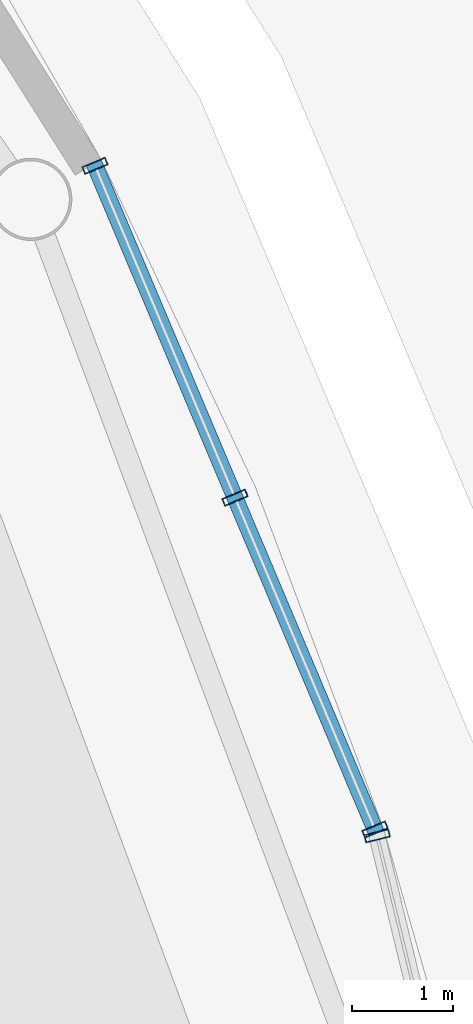
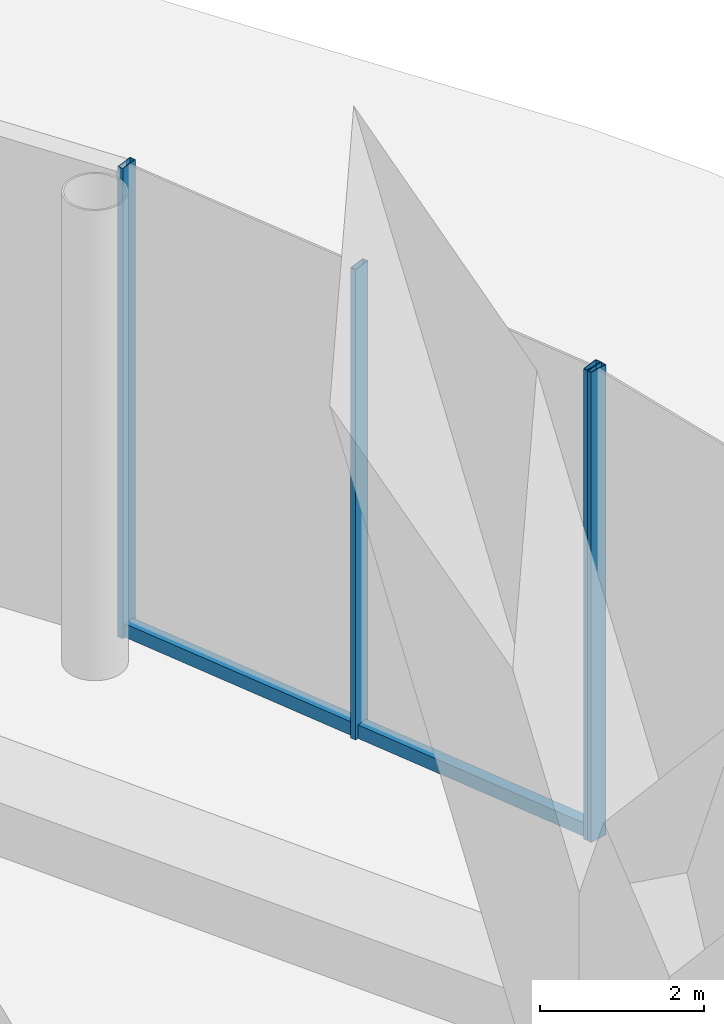
# One storey, part 40 of 67: 5 members, 2 elements without a shape of their own.
"""IFC4 building model written with IfcOpenShell, lengths in metres."""

from ifc_helpers import new_model, si_unit, direction, frame, origin, origin_2d, place, context, subcontext, project, spatial, hollow_rectangle, extrude, material, layer, layer_set, material_profile, profile_set, type_object, element, aggregate, save


model = new_model("IFC4")

# Units and contexts
model_context = context("Model", 3, precision=1e-05, world=origin(), true_north=direction((0.0, 1.0)))
body_context = subcontext(model_context, "Body", "Model", "MODEL_VIEW")
ifc_project = project(units=[si_unit("LENGTHUNIT", "METRE"), si_unit("AREAUNIT", "SQUARE_METRE"), si_unit("VOLUMEUNIT", "CUBIC_METRE"), si_unit("PLANEANGLEUNIT", "RADIAN"), si_unit("MASSUNIT", "GRAM", prefix="KILO")], contexts=[model_context])

# Site, building, storey
site_placement = place(None, origin())
site = spatial("IfcSite", under=ifc_project, at=site_placement, CompositionType="ELEMENT")
building_placement = place(site_placement, origin())
building = spatial("IfcBuilding", under=site, at=building_placement, Name="Nagisa Residences", CompositionType="ELEMENT")
storey_placement = place(building_placement, origin())
storey = spatial("IfcBuildingStorey", under=building, at=storey_placement, Name="L00", CompositionType="ELEMENT", Elevation=0.0)

# Curtain wall, member
ifc_material_1 = material(Name="Stainless steel curtain wall system", Category="steel")
ifc_layer = layer(ifc_material_1, 0.159912109375)
ifc_layer_set = layer_set([ifc_layer], Name="CW3 CURTAIN WALL")
curtain_wall_type = type_object("IfcCurtainWallType", Name="CW3 CURTAIN WALL", PredefinedType="NOTDEFINED", material=ifc_layer_set)
curtain_wall_1_placement = place(storey_placement, origin())
curtain_wall_1 = element("IfcCurtainWall", 1, at=curtain_wall_1_placement, inside=storey, type_object=curtain_wall_type, Name="cw:CW3:L00:01", PredefinedType="NOTDEFINED")
ifc_material_2 = material(Name="Stainless steel", Category="steel")
ifc_material_profile_1 = material_profile(ifc_material_2, hollow_rectangle(XDim=0.25, YDim=0.080078125, WallThickness=0.008056640625, at=origin_2d()), Name="CW3 MULLION 250x80")
ifc_profile_set_1 = profile_set([ifc_material_profile_1], Name="Stainless steel")
member_type_1 = type_object("IfcMemberType", Name="CW3 MULLION 250x80", PredefinedType="MULLION", material=ifc_profile_set_1)
member_1_placement = place(storey_placement, frame((39.239990234375, 14.30712890625, 0.0), z_axis=(0.0, 0.0, 1.0), x_axis=(-0.971848775146, -0.235605514043, 0.0)))
member_1 = element("IfcMember", 2, at=member_1_placement, type_object=member_type_1, Name="CW3 mullion", PredefinedType="MULLION", context=body_context, shape_type="SweptSolid", body=[
    extrude(hollow_rectangle(XDim=0.25, YDim=0.080078125, WallThickness=0.008056640625, at=origin_2d()), origin(), (0.0, 0.0, 1.0), 7.0),
])
aggregate(curtain_wall_1, [member_1])

# Curtain wall, members
curtain_wall_2_placement = place(storey_placement, origin())
curtain_wall_2 = element("IfcCurtainWall", 3, at=curtain_wall_2_placement, inside=storey, type_object=curtain_wall_type, Name="cw:CW3:L00:02", PredefinedType="NOTDEFINED")
member_2_placement = place(storey_placement, frame((39.218994140625, 14.37060546875, 0.0), z_axis=(0.0, 0.0, 1.0), x_axis=(-0.921356767819, -0.388718029417, 0.0)))
member_2 = element("IfcMember", 4, at=member_2_placement, type_object=member_type_1, Name="CW3 mullion", PredefinedType="MULLION", context=body_context, shape_type="SweptSolid", body=[
    extrude(hollow_rectangle(XDim=0.25, YDim=0.080078125, WallThickness=0.008056640625, at=origin_2d()), origin(), (0.0, 0.0, 1.0), 7.0),
])
member_3_placement = place(storey_placement, frame((37.8349609375, 17.6513671875, 0.0), z_axis=(0.0, 0.0, 1.0), x_axis=(-0.921356767819, -0.388718029417, 0.0)))
member_3 = element("IfcMember", 5, at=member_3_placement, type_object=member_type_1, Name="CW3 mullion", PredefinedType="MULLION", context=body_context, shape_type="SweptSolid", body=[
    extrude(hollow_rectangle(XDim=0.25, YDim=0.080078125, WallThickness=0.008056640625, at=origin_2d()), origin(), (0.0, 0.0, 1.0), 7.0),
])
member_4_placement = place(storey_placement, frame((36.45068359375, 20.93212890625, 0.0), z_axis=(0.0, 0.0, 1.0), x_axis=(-0.921356767819, -0.388718029417, 0.0)))
member_4 = element("IfcMember", 6, at=member_4_placement, type_object=member_type_1, Name="CW3 mullion", PredefinedType="MULLION", context=body_context, shape_type="SweptSolid", body=[
    extrude(hollow_rectangle(XDim=0.25, YDim=0.080078125, WallThickness=0.008056640625, at=origin_2d()), origin(), (0.0, 0.0, 1.0), 7.0),
])
ifc_material_3 = material(Name="Stainless steel", Category="steel")
ifc_material_profile_2 = material_profile(ifc_material_3, hollow_rectangle(XDim=0.159912109375, YDim=0.199951171875, WallThickness=0.008056640625, at=origin_2d()), Name="CW3 TRANSOM 160x200")
ifc_profile_set_2 = profile_set([ifc_material_profile_2], Name="Stainless steel")
member_type_2 = type_object("IfcMemberType", Name="CW3 TRANSOM 160x200", PredefinedType="USERDEFINED", material=ifc_profile_set_2)
member_5_placement = place(storey_placement, frame((39.234619140625, 14.333740234375, 0.10009765625), z_axis=(-0.388708599467, 0.921360746234, 0.0), x_axis=(-0.921360746234, -0.388708599467, 0.0)))
member_5 = element("IfcMember", 7, at=member_5_placement, type_object=member_type_2, Name="CW3 transom", ObjectType="TRANSOM", PredefinedType="USERDEFINED", context=body_context, shape_type="SweptSolid", body=[
    extrude(hollow_rectangle(XDim=0.159912109375, YDim=0.199951171875, WallThickness=0.008056640625, at=origin_2d()), origin(), (0.0, 0.0, 1.0), 7.20166015625),
])
aggregate(curtain_wall_2, [member_2, member_3, member_4, member_5])

save(model, "model.ifc")
